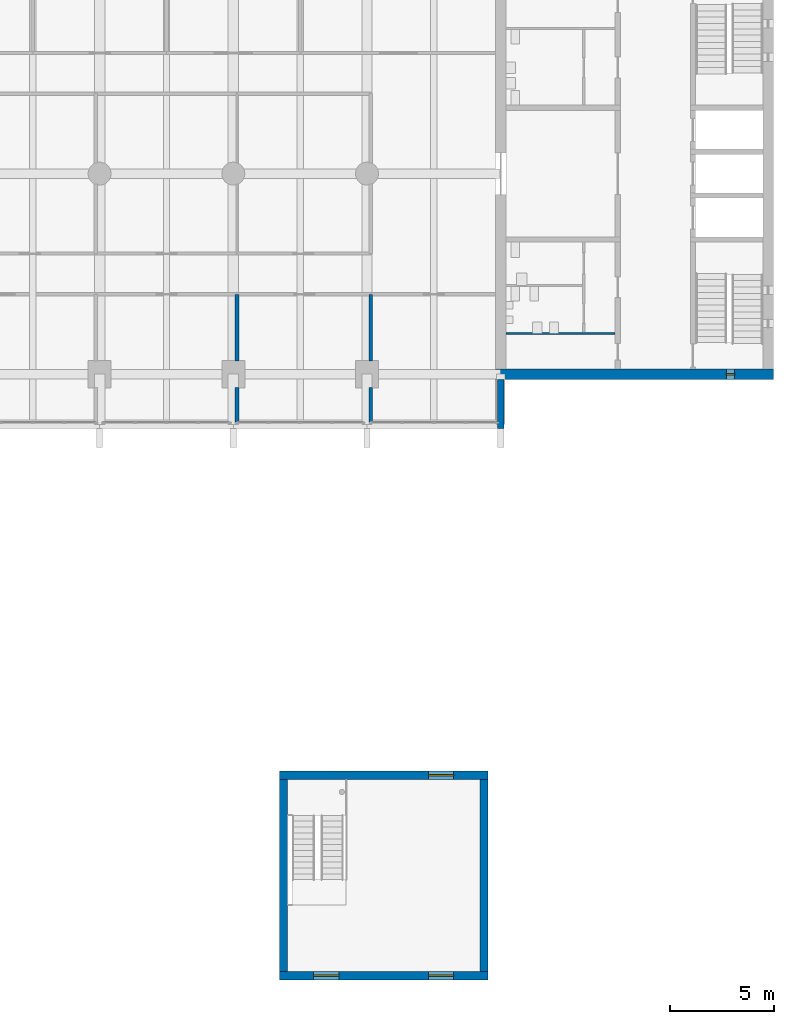
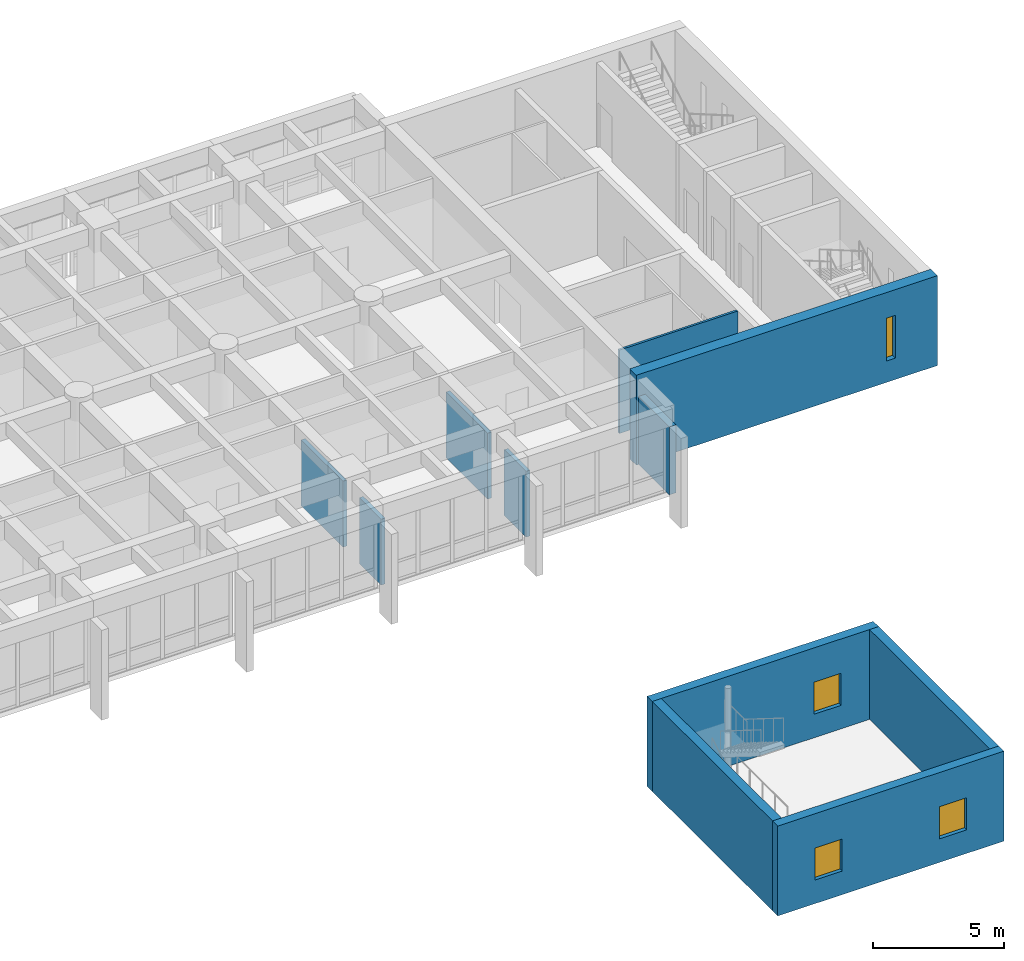
# One storey, part 10 of 18: 11 walls, 4 windows, 4 openings.
"""IFC4 building model written with IfcOpenShell, lengths in metres."""

from ifc_helpers import new_model, si_unit, direction, frame, frame_2d, origin, place, context, subcontext, project, spatial, rectangle, extrude, material, layer, layer_set, type_object, element, fill, save


model = new_model("IFC4")

# Units and contexts
model_context = context("Model", 3, precision=1e-05, world=origin(), true_north=direction((0.0, 1.0)))
body_context = subcontext(model_context, "Body", "Model", "MODEL_VIEW")
ifc_project = project(units=[si_unit("LENGTHUNIT", "METRE"), si_unit("AREAUNIT", "SQUARE_METRE"), si_unit("VOLUMEUNIT", "CUBIC_METRE"), si_unit("PLANEANGLEUNIT", "RADIAN"), si_unit("MASSUNIT", "GRAM", prefix="KILO")], contexts=[model_context])

# Site, building, storey
site_placement = place(None, origin())
site = spatial("IfcSite", under=ifc_project, at=site_placement, CompositionType="ELEMENT")
building_placement = place(site_placement, origin())
building = spatial("IfcBuilding", under=site, at=building_placement, Name="Fogon Plaza Fire Station and Headquarters Tower", CompositionType="ELEMENT")
storey_placement = place(building_placement, frame((0.0, 0.0, 12.89990234375)))
storey = spatial("IfcBuildingStorey", under=building, at=storey_placement, Name="L03", CompositionType="ELEMENT", Elevation=12.89990234375)

# Walls
ifc_material_1 = material(Name="Concrete C40", Category="concrete")
ifc_layer_1 = layer(ifc_material_1, 0.300048828125)
ifc_layer_set_1 = layer_set([ifc_layer_1], Name="Concrete C40")
wall_type_1 = type_object("IfcWallType", Name="Fair-faced RC Return Panel 300", PredefinedType="SOLIDWALL", material=ifc_layer_set_1)
wall_1_placement = place(storey_placement, frame((64.0, 31.0, 0.0), z_axis=(0.0, 0.0, 1.0), x_axis=(0.0, 1.0, 0.0)))
element("IfcWall", 1, at=wall_1_placement, inside=storey, type_object=wall_type_1, Name="Bar end return ES L03", PredefinedType="SOLIDWALL", context=body_context, shape_type="SweptSolid", body=[
    extrude(rectangle(XDim=2.35009765625, YDim=0.300048828125, at=frame_2d((1.175048828125, 0.0))), origin(), (0.0, 0.0, 1.0), 3.18017578125),
])
ifc_material_2 = material(Name="Blockwork", Category="masonry")
ifc_layer_2 = layer(ifc_material_2, 0.10009765625)
ifc_layer_set_2 = layer_set([ifc_layer_2], Name="Blockwork")
wall_type_2 = type_object("IfcWallType", Name="Partition Blockwork 100", PredefinedType="PARTITIONING", material=ifc_layer_set_2)
wall_2_placement = place(storey_placement, frame((69.47509765625, 35.550048828125, 0.0), z_axis=(0.0, 0.0, 1.0), x_axis=(-1.0, 0.0, 0.0)))
element("IfcWall", 2, at=wall_2_placement, inside=storey, type_object=wall_type_2, Name="Cleaner's store partition", PredefinedType="PARTITIONING", context=body_context, shape_type="SweptSolid", body=[
    extrude(rectangle(XDim=5.22509765625, YDim=0.10009765625, at=frame_2d((2.612548828125, 0.0))), origin(), (0.0, 0.0, 1.0), 3.900146484375),
])

# Wall, opening, window
ifc_material_3 = material(Name="Concrete C40", Category="concrete")
ifc_layer_3 = layer(ifc_material_3, 0.39990234375)
ifc_layer_set_3 = layer_set([ifc_layer_3], Name="Concrete C40")
wall_type_3 = type_object("IfcWallType", Name="Shear wall 400 DW40", PredefinedType="SHEAR", material=ifc_layer_set_3)
wall_3_placement = place(storey_placement, frame((53.39990234375, 14.39990234375, 0.0), z_axis=(0.0, 0.0, 1.0), x_axis=(1.0, 0.0, 0.0)))
wall_3 = element("IfcWall", 3, at=wall_3_placement, inside=storey, type_object=wall_type_3, Name="wall-drill-N-L03", PredefinedType="SHEAR", context=body_context, shape_type="SweptSolid", body=[
    extrude(rectangle(XDim=10.0, YDim=0.39990234375, at=frame_2d((5.0, 0.0))), origin(), (0.0, 0.0, 1.0), 4.2001953125),
])
opening_1_placement = place(wall_3_placement, frame((7.14990234375, 0.0, 1.10009765625)))
opening_1 = element("IfcOpeningElement", 4, at=opening_1_placement, cuts=wall_3, Name="Opening WT1", PredefinedType="OPENING", context=body_context, shape_type="SweptSolid", body=[
    extrude(rectangle(XDim=1.199951171875, YDim=1.5, at=frame_2d((0.60009765625, 0.75))), frame((0.0, 0.2099609375, 0.0), z_axis=(0.0, -1.0, 0.0), x_axis=(1.0, 0.0, 0.0)), (0.0, 0.0, 1.0), 0.419921875),
])
ifc_material_4 = material(Name="Galvanised steel framed glazing with grille", Category="steel")
window_type_1 = type_object("IfcWindowType", Name="Training Opening WT1 1200x1500", PartitioningType="SINGLE_PANEL", PredefinedType="WINDOW", material=ifc_material_4)
window_1_placement = place(opening_1_placement, origin())
window_1 = element("IfcWindow", 5, at=window_1_placement, inside=storey, type_object=window_type_1, Name="Training opening N L03", OverallHeight=1.5, OverallWidth=1.199951171875, PartitioningType="SINGLE_PANEL", PredefinedType="WINDOW", context=body_context, shape_type="SweptSolid", body=[
    extrude(rectangle(XDim=1.199951171875, YDim=1.5, at=frame_2d((0.60009765625, 0.75))), frame((0.0, 0.030029296875, 0.0), z_axis=(0.0, -1.0, 0.0), x_axis=(1.0, 0.0, 0.0)), (0.0, 0.0, 1.0), 0.06005859375),
])
fill(opening_1, window_1)

# Wall, openings, windows
wall_4_placement = place(storey_placement, frame((53.39990234375, 4.800048828125, 0.0), z_axis=(0.0, 0.0, 1.0), x_axis=(1.0, 0.0, 0.0)))
wall_4 = element("IfcWall", 6, at=wall_4_placement, inside=storey, type_object=wall_type_3, Name="wall-drill-S-L03", PredefinedType="SHEAR", context=body_context, shape_type="SweptSolid", body=[
    extrude(rectangle(XDim=10.0, YDim=0.39990234375, at=frame_2d((5.0, 0.0))), origin(), (0.0, 0.0, 1.0), 4.2001953125),
])
opening_2_placement = place(wall_4_placement, frame((1.64990234375, 0.0, 1.10009765625)))
opening_2 = element("IfcOpeningElement", 7, at=opening_2_placement, cuts=wall_4, Name="Opening WT1", PredefinedType="OPENING", context=body_context, shape_type="SweptSolid", body=[
    extrude(rectangle(XDim=1.199951171875, YDim=1.5, at=frame_2d((0.60009765625, 0.75))), frame((0.0, 0.2099609375, 0.0), z_axis=(0.0, -1.0, 0.0), x_axis=(1.0, 0.0, 0.0)), (0.0, 0.0, 1.0), 0.419921875),
])
opening_3_placement = place(wall_4_placement, frame((7.14990234375, 0.0, 1.10009765625)))
opening_3 = element("IfcOpeningElement", 8, at=opening_3_placement, cuts=wall_4, Name="Opening WT1", PredefinedType="OPENING", context=body_context, shape_type="SweptSolid", body=[
    extrude(rectangle(XDim=1.199951171875, YDim=1.5, at=frame_2d((0.60009765625, 0.75))), frame((0.0, 0.2099609375, 0.0), z_axis=(0.0, -1.0, 0.0), x_axis=(1.0, 0.0, 0.0)), (0.0, 0.0, 1.0), 0.419921875),
])
window_2_placement = place(opening_2_placement, origin())
window_2 = element("IfcWindow", 9, at=window_2_placement, inside=storey, type_object=window_type_1, Name="Training opening S L03", OverallHeight=1.5, OverallWidth=1.199951171875, PartitioningType="SINGLE_PANEL", PredefinedType="WINDOW", context=body_context, shape_type="SweptSolid", body=[
    extrude(rectangle(XDim=1.199951171875, YDim=1.5, at=frame_2d((0.60009765625, 0.75))), frame((0.0, 0.030029296875, 0.0), z_axis=(0.0, -1.0, 0.0), x_axis=(1.0, 0.0, 0.0)), (0.0, 0.0, 1.0), 0.06005859375),
])
fill(opening_2, window_2)
window_3_placement = place(opening_3_placement, origin())
window_3 = element("IfcWindow", 10, at=window_3_placement, inside=storey, type_object=window_type_1, Name="Training opening S L03", OverallHeight=1.5, OverallWidth=1.199951171875, PartitioningType="SINGLE_PANEL", PredefinedType="WINDOW", context=body_context, shape_type="SweptSolid", body=[
    extrude(rectangle(XDim=1.199951171875, YDim=1.5, at=frame_2d((0.60009765625, 0.75))), frame((0.0, 0.030029296875, 0.0), z_axis=(0.0, -1.0, 0.0), x_axis=(1.0, 0.0, 0.0)), (0.0, 0.0, 1.0), 0.06005859375),
])
fill(opening_3, window_3)

# Walls
for number, where, z_axis, x_axis, name in (
    (11, (63.199951171875, 5.0, 0.0), (0.0, 0.0, 1.0), (0.0, 1.0, 0.0), "wall-drill-E-L03"),
    (12, (53.60009765625, 5.0, 0.0), (0.0, 0.0, 1.0), (0.0, 1.0, 0.0), "wall-drill-W-L03"),
):
    element("IfcWall", number, at=place(storey_placement, frame(where, z_axis=z_axis, x_axis=x_axis)), inside=storey, type_object=wall_type_3, Name=name, PredefinedType="SHEAR", context=body_context, shape_type="SweptSolid", body=[
        extrude(rectangle(XDim=9.199951171875, YDim=0.39990234375, at=frame_2d((4.60009765625, 0.0))), origin(), (0.0, 0.0, 1.0), 4.2001953125),
    ])

# Wall, opening, window
ifc_material_5 = material(Name="Concrete C40", Category="concrete")
ifc_layer_4 = layer(ifc_material_5, 0.5)
ifc_layer_set_4 = layer_set([ifc_layer_4], Name="Concrete C40")
wall_type_4 = type_object("IfcWallType", Name="Shear wall 500 SW50", PredefinedType="SHEAR", material=ifc_layer_set_4)
wall_5_placement = place(storey_placement, frame((63.75, 33.60009765625, 0.0), z_axis=(0.0, 0.0, 1.0), x_axis=(1.0, 0.0, 0.0)))
wall_5 = element("IfcWall", 13, at=wall_5_placement, inside=storey, type_object=wall_type_4, Name="wall-coreB-S-L03", PredefinedType="SHEAR", context=body_context, shape_type="SweptSolid", body=[
    extrude(rectangle(XDim=13.300048828125, YDim=0.5, at=frame_2d((6.64990234375, 0.0))), origin(), (0.0, 0.0, 1.0), 4.2001953125),
])
opening_4_placement = place(wall_5_placement, frame((11.050048828125, 0.0, 1.0)))
opening_4 = element("IfcOpeningElement", 14, at=opening_4_placement, cuts=wall_5, Name="Opening WS1", PredefinedType="OPENING", context=body_context, shape_type="SweptSolid", body=[
    extrude(rectangle(XDim=0.39990234375, YDim=2.0, at=frame_2d((0.199951171875, 1.0))), frame((0.0, 0.260009765625, 0.0), z_axis=(0.0, -1.0, 0.0), x_axis=(1.0, 0.0, 0.0)), (0.0, 0.0, 1.0), 0.52001953125),
])
ifc_material_6 = material(Name="Aluminium framed double glazing", Category="aluminium")
window_type_2 = type_object("IfcWindowType", Name="Slit Window WS1 400x2000", PartitioningType="SINGLE_PANEL", PredefinedType="WINDOW", material=ifc_material_6)
window_4_placement = place(opening_4_placement, origin())
window_4 = element("IfcWindow", 15, at=window_4_placement, inside=storey, type_object=window_type_2, Name="Slit window B5 L03", OverallHeight=2.0, OverallWidth=0.39990234375, PartitioningType="SINGLE_PANEL", PredefinedType="WINDOW", context=body_context, shape_type="SweptSolid", body=[
    extrude(rectangle(XDim=0.39990234375, YDim=2.0, at=frame_2d((0.199951171875, 1.0))), frame((0.0, 0.030029296875, 0.0), z_axis=(0.0, -1.0, 0.0), x_axis=(1.0, 0.0, 0.0)), (0.0, 0.0, 1.0), 0.06005859375),
])
fill(opening_4, window_4)

# Walls
ifc_material_7 = material(Name="Double gypsum board on twin steel stud", Category="steel")
ifc_layer_5 = layer(ifc_material_7, 0.175048828125)
ifc_layer_set_5 = layer_set([ifc_layer_5], Name="Double gypsum board on twin steel stud")
wall_type_5 = type_object("IfcWallType", Name="Tower acoustic partition 175 Beam Head 900", PredefinedType="PARTITIONING", material=ifc_layer_set_5)
wall_6_placement = place(storey_placement, frame((51.3798828125, 31.300048828125, 0.0), z_axis=(0.0, 0.0, 1.0), x_axis=(0.0, 1.0, 0.0)))
element("IfcWall", 16, at=wall_6_placement, inside=storey, type_object=wall_type_5, Name="part-L03-07", PredefinedType="PARTITIONING", context=body_context, shape_type="SweptSolid", body=[
    extrude(rectangle(XDim=1.669921875, YDim=0.175048828125, at=frame_2d((0.8349609375, 0.0))), origin(), (0.0, 0.0, 1.0), 3.080078125),
])
wall_7_placement = place(storey_placement, frame((51.3798828125, 34.22998046875, 0.0), z_axis=(0.0, 0.0, 1.0), x_axis=(0.0, 1.0, 0.0)))
element("IfcWall", 17, at=wall_7_placement, inside=storey, type_object=wall_type_5, Name="part-L03-08", PredefinedType="PARTITIONING", context=body_context, shape_type="SweptSolid", body=[
    extrude(rectangle(XDim=3.195068359375, YDim=0.175048828125, at=frame_2d((1.59765625, 0.0))), origin(), (0.0, 0.0, 1.0), 3.080078125),
])
wall_8_placement = place(storey_placement, frame((57.780029296875, 31.300048828125, 0.0), z_axis=(0.0, 0.0, 1.0), x_axis=(0.0, 1.0, 0.0)))
element("IfcWall", 18, at=wall_8_placement, inside=storey, type_object=wall_type_5, Name="part-L03-09", PredefinedType="PARTITIONING", context=body_context, shape_type="SweptSolid", body=[
    extrude(rectangle(XDim=1.669921875, YDim=0.175048828125, at=frame_2d((0.8349609375, 0.0))), origin(), (0.0, 0.0, 1.0), 3.080078125),
])
wall_9_placement = place(storey_placement, frame((57.780029296875, 34.22998046875, 0.0), z_axis=(0.0, 0.0, 1.0), x_axis=(0.0, 1.0, 0.0)))
element("IfcWall", 19, at=wall_9_placement, inside=storey, type_object=wall_type_5, Name="part-L03-10", PredefinedType="PARTITIONING", context=body_context, shape_type="SweptSolid", body=[
    extrude(rectangle(XDim=3.195068359375, YDim=0.175048828125, at=frame_2d((1.59765625, 0.0))), origin(), (0.0, 0.0, 1.0), 3.080078125),
])

save(model, "model.ifc")
